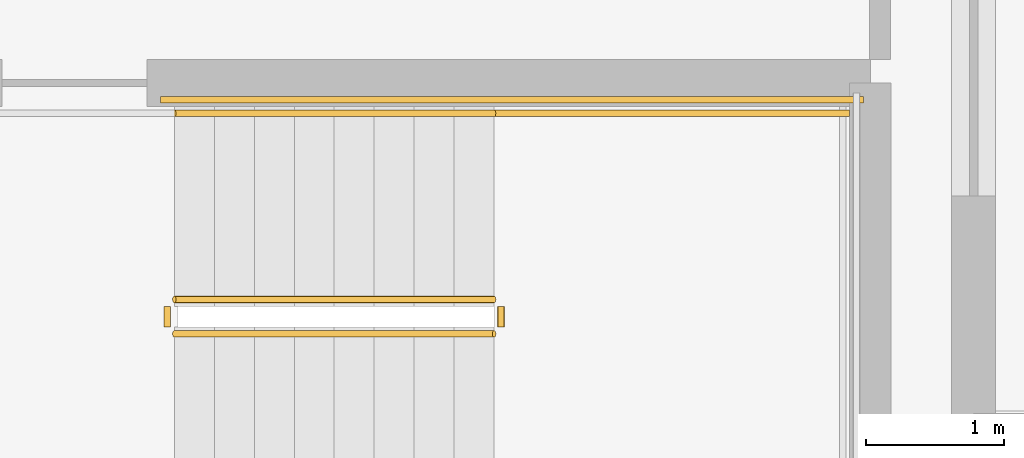
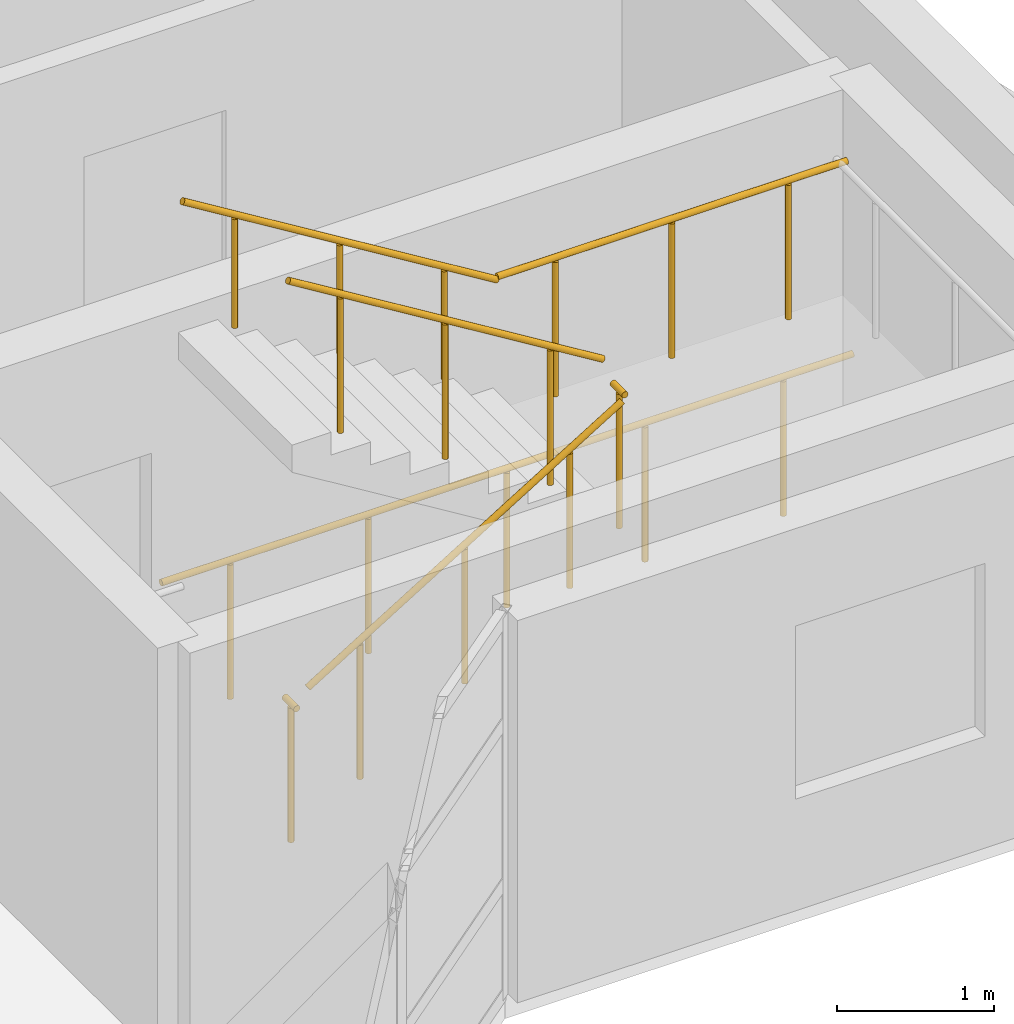
# One storey, part 34 of 39: 7 railings.
"""IFC4 building model written with IfcOpenShell, lengths in metres."""

from ifc_helpers import new_model, si_unit, direction, frame, origin, origin_2d, place, context, subcontext, project, spatial, circle, extrude, material, type_object, element, save


model = new_model("IFC4")

# Units and contexts
model_context = context("Model", 3, precision=1e-05, world=origin(), true_north=direction((0.0, 1.0)))
body_context = subcontext(model_context, "Body", "Model", "MODEL_VIEW")
ifc_project = project(units=[si_unit("LENGTHUNIT", "METRE"), si_unit("AREAUNIT", "SQUARE_METRE"), si_unit("VOLUMEUNIT", "CUBIC_METRE"), si_unit("PLANEANGLEUNIT", "RADIAN"), si_unit("MASSUNIT", "GRAM", prefix="KILO")], contexts=[model_context])

# Site, building, storey
site_placement = place(None, origin())
site = spatial("IfcSite", under=ifc_project, at=site_placement, CompositionType="ELEMENT")
building_placement = place(site_placement, origin())
building = spatial("IfcBuilding", under=site, at=building_placement, Name="Keldmere Railside Commons", CompositionType="ELEMENT")
storey_placement = place(building_placement, frame((0.0, 0.0, 32.9599609375)))
storey = spatial("IfcBuildingStorey", under=building, at=storey_placement, Name="L10", CompositionType="ELEMENT", Elevation=32.9599609375)

# Railings
ifc_material = material(Name="Steel F-24 (S235)", Category="steel")
railing_type_1 = type_object("IfcRailingType", Name="Stair Well Steel Guardrail 1100", PredefinedType="BALUSTRADE", material=ifc_material)
railing_1_placement = place(storey_placement, frame((131.699951171875, 102.0, 0.177734375)))
element("IfcRailing", 1, at=railing_1_placement, inside=storey, type_object=railing_type_1, Name="L10 ST-B2 stair guard 1", PredefinedType="BALUSTRADE", context=body_context, shape_type="SweptSolid", body=[
    extrude(circle(Radius=0.02392578125, at=origin_2d()), frame((0.0, 0.0, 1.076171875), z_axis=(0.852538067394, 0.0, 0.522665135287), x_axis=(0.0, 1.0, 0.0)), (0.0, 0.0, 1.0), 2.721435546875),
    extrude(circle(Radius=0.02099609375, at=origin_2d()), frame((0.38671875, 0.0, 0.237060546875)), (0.0, 0.0, 1.0), 1.048095703125),
    extrude(circle(Radius=0.02099609375, at=origin_2d()), frame((1.16015625, 0.0, 0.711181640625)), (0.0, 0.0, 1.0), 1.048095703125),
    extrude(circle(Radius=0.02099609375, at=origin_2d()), frame((1.933349609375, 0.0, 1.185302734375)), (0.0, 0.0, 1.0), 1.048095703125),
])
railing_2_placement = place(storey_placement, frame((134.070068359375, 102.050048828125, 1.60009765625)))
element("IfcRailing", 2, at=railing_2_placement, inside=storey, type_object=railing_type_1, Name="L10 ST-B2 stair guard 2", PredefinedType="BALUSTRADE", context=body_context, shape_type="SweptSolid", body=[
    extrude(circle(Radius=0.02392578125, at=origin_2d()), frame((0.0, 0.0, 1.076171875), z_axis=(0.0, 1.0, 0.0), x_axis=(-1.0, 0.0, 0.0)), (0.0, 0.0, 1.0), 0.14990234375),
    extrude(circle(Radius=0.02099609375, at=origin_2d()), frame((0.0, 0.074951171875, 0.0)), (0.0, 0.0, 1.0), 1.048095703125),
])
railing_3_placement = place(storey_placement, frame((134.02001953125, 103.60009765625, 1.60009765625)))
element("IfcRailing", 3, at=railing_3_placement, inside=storey, type_object=railing_type_1, Name="L10 ST-B2 stair guard 4", PredefinedType="BALUSTRADE", context=body_context, shape_type="SweptSolid", body=[
    extrude(circle(Radius=0.02392578125, at=origin_2d()), frame((0.0, 0.0, 1.076171875), z_axis=(1.0, 0.0, 0.0), x_axis=(0.0, 1.0, 0.0)), (0.0, 0.0, 1.0), 2.580078125),
    extrude(circle(Radius=0.02099609375, at=origin_2d()), frame((0.429931640625, 0.0, 0.0)), (0.0, 0.0, 1.0), 1.048095703125),
    extrude(circle(Radius=0.02099609375, at=origin_2d()), frame((1.2900390625, 0.0, 0.0)), (0.0, 0.0, 1.0), 1.048095703125),
    extrude(circle(Radius=0.02099609375, at=origin_2d()), frame((2.150146484375, 0.0, 0.0)), (0.0, 0.0, 1.0), 1.048095703125),
])
railing_4_placement = place(storey_placement, frame((134.02001953125, 102.25, 1.77783203125)))
element("IfcRailing", 4, at=railing_4_placement, inside=storey, type_object=railing_type_1, Name="L10 ST-B2 stair guard 6", PredefinedType="BALUSTRADE", context=body_context, shape_type="SweptSolid", body=[
    extrude(circle(Radius=0.02392578125, at=origin_2d()), frame((0.0, 0.0, 1.076171875), z_axis=(-0.852578041948, 0.0, 0.522599925744), x_axis=(0.0, -1.0, 0.0)), (0.0, 0.0, 1.0), 2.72119140625),
    extrude(circle(Radius=0.02099609375, at=origin_2d()), frame((-0.38671875, 0.0, 0.237060546875)), (0.0, 0.0, 1.0), 1.048095703125),
    extrude(circle(Radius=0.02099609375, at=origin_2d()), frame((-1.16015625, 0.0, 0.7109375)), (0.0, 0.0, 1.0), 1.048095703125),
    extrude(circle(Radius=0.02099609375, at=origin_2d()), frame((-1.933349609375, 0.0, 1.18505859375)), (0.0, 0.0, 1.0), 1.048095703125),
])
railing_5_placement = place(storey_placement, frame((131.64990234375, 102.050048828125, 0.0)))
element("IfcRailing", 5, at=railing_5_placement, inside=storey, type_object=railing_type_1, Name="L10 ST-B2 stair guard 7", PredefinedType="BALUSTRADE", context=body_context, shape_type="SweptSolid", body=[
    extrude(circle(Radius=0.02392578125, at=origin_2d()), frame((0.0, 0.0, 1.076171875), z_axis=(0.0, 1.0, 0.0), x_axis=(-1.0, 0.0, 0.0)), (0.0, 0.0, 1.0), 0.14990234375),
    extrude(circle(Radius=0.02099609375, at=origin_2d()), frame((0.0, 0.074951171875, 0.0)), (0.0, 0.0, 1.0), 1.048095703125),
])
railing_6_placement = place(storey_placement, frame((131.60009765625, 103.699951171875, 0.0)))
element("IfcRailing", 6, at=railing_6_placement, inside=storey, type_object=railing_type_1, Name="L10 ST-B2 stair guard 11", PredefinedType="BALUSTRADE", context=body_context, shape_type="SweptSolid", body=[
    extrude(circle(Radius=0.02392578125, at=origin_2d()), frame((0.0, 0.0, 1.076171875), z_axis=(1.0, 0.0, 0.0), x_axis=(0.0, 1.0, 0.0)), (0.0, 0.0, 1.0), 5.099853515625),
    extrude(circle(Radius=0.02099609375, at=origin_2d()), frame((0.510009765625, 0.0, 0.0)), (0.0, 0.0, 1.0), 1.048095703125),
    extrude(circle(Radius=0.02099609375, at=origin_2d()), frame((1.530029296875, 0.0, 0.0)), (0.0, 0.0, 1.0), 1.048095703125),
    extrude(circle(Radius=0.02099609375, at=origin_2d()), frame((2.5498046875, 0.0, 0.0)), (0.0, 0.0, 1.0), 1.048095703125),
    extrude(circle(Radius=0.02099609375, at=origin_2d()), frame((3.56982421875, 0.0, 0.0)), (0.0, 0.0, 1.0), 1.048095703125),
    extrude(circle(Radius=0.02099609375, at=origin_2d()), frame((4.58984375, 0.0, 0.0)), (0.0, 0.0, 1.0), 1.048095703125),
])
railing_type_2 = type_object("IfcRailingType", Name="Wall-Mounted Tubular Steel Handrail 900", PredefinedType="HANDRAIL", material=ifc_material)
railing_7_placement = place(storey_placement, frame((134.02001953125, 103.60009765625, 1.77783203125)))
element("IfcRailing", 7, at=railing_7_placement, inside=storey, type_object=railing_type_2, Name="L10 ST-B2 stair handrail 2", PredefinedType="HANDRAIL", context=body_context, shape_type="SweptSolid", body=[
    extrude(circle(Radius=0.02392578125, at=origin_2d()), frame((0.0, 0.0, 0.8759765625), z_axis=(-0.852578041948, 0.0, 0.522599925744), x_axis=(0.0, -1.0, 0.0)), (0.0, 0.0, 1.0), 2.72119140625),
    extrude(circle(Radius=0.02099609375, at=origin_2d()), frame((-0.38671875, 0.0, 0.237060546875)), (0.0, 0.0, 1.0), 0.847900390625),
    extrude(circle(Radius=0.02099609375, at=origin_2d()), frame((-1.16015625, 0.0, 0.7109375)), (0.0, 0.0, 1.0), 0.847900390625),
    extrude(circle(Radius=0.02099609375, at=origin_2d()), frame((-1.933349609375, 0.0, 1.18505859375)), (0.0, 0.0, 1.0), 0.847900390625),
])

save(model, "model.ifc")
